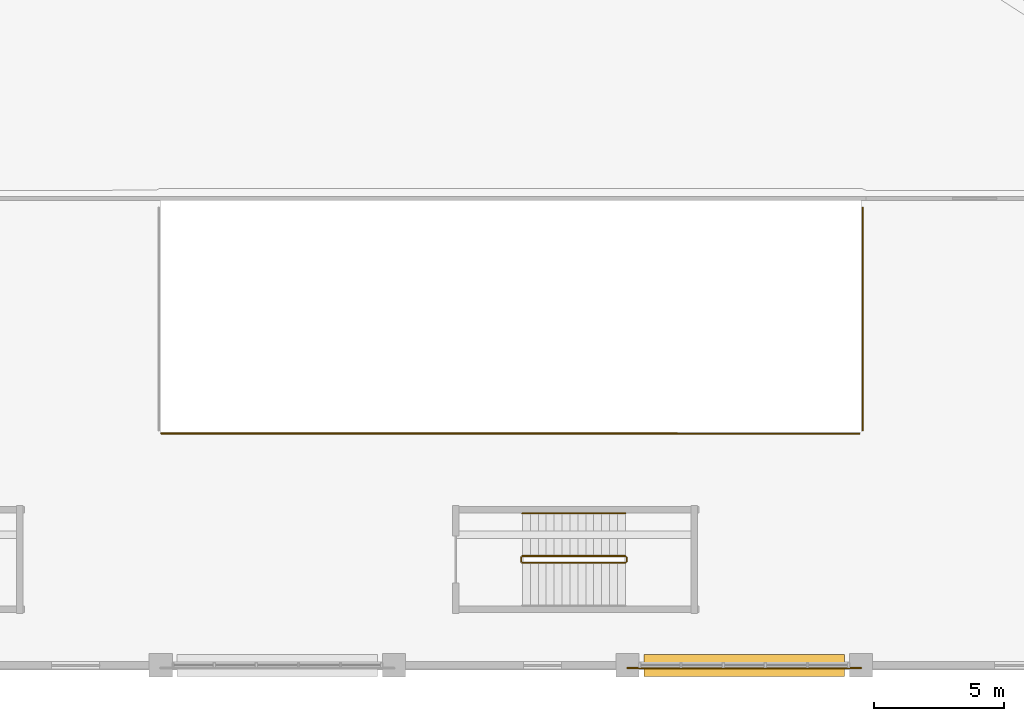
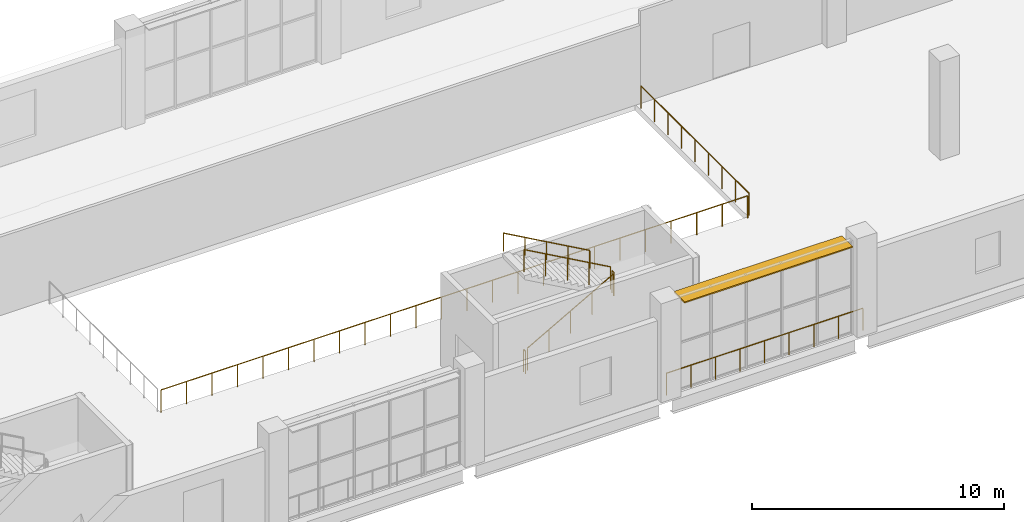
# One storey, part 127 of 183: 8 railings, 1 shading device.
"""IFC4 building model written with IfcOpenShell, lengths in metres."""

from ifc_helpers import new_model, si_unit, direction, frame, origin, origin_2d, place, context, subcontext, project, spatial, rectangle, circle, extrude, material, layer, layer_set, type_object, element, save


model = new_model("IFC4")

# Units and contexts
model_context = context("Model", 3, precision=1e-05, world=origin(), true_north=direction((0.0, 1.0)))
body_context = subcontext(model_context, "Body", "Model", "MODEL_VIEW")
ifc_project = project(units=[si_unit("LENGTHUNIT", "METRE"), si_unit("AREAUNIT", "SQUARE_METRE"), si_unit("VOLUMEUNIT", "CUBIC_METRE"), si_unit("PLANEANGLEUNIT", "RADIAN"), si_unit("MASSUNIT", "GRAM", prefix="KILO")], contexts=[model_context])

# Site, building, storey
site_placement = place(None, origin())
site = spatial("IfcSite", under=ifc_project, at=site_placement, CompositionType="ELEMENT")
building_placement = place(site_placement, origin())
building = spatial("IfcBuilding", under=site, at=building_placement, Name="Zevraka Park Crest Stadium", CompositionType="ELEMENT")
storey_placement = place(building_placement, frame((0.0, 0.0, 5.39990234375)))
storey = spatial("IfcBuildingStorey", under=building, at=storey_placement, Name="L01", CompositionType="ELEMENT", Elevation=5.39990234375)

# Railings
ifc_material_1 = material(Name="Galvanised and bronze-finished steel balustrade", Category="steel")
railing_type_1 = type_object("IfcRailingType", Name="GR01", PredefinedType="GUARDRAIL", material=ifc_material_1)
railing_1_placement = place(storey_placement, frame((54.009033203125, -0.10498046875, 0.0)))
element("IfcRailing", 1, at=railing_1_placement, inside=storey, type_object=railing_type_1, Name="Deck Edge Protection Guardrail GR01 L01-38", PredefinedType="GUARDRAIL", context=body_context, shape_type="SweptSolid", body=[
    extrude(circle(Radius=0.02392578125, at=origin_2d()), frame((0.0, 0.0, 1.076171875), z_axis=(-1.0, 0.0, 0.0), x_axis=(0.0, -1.0, 0.0)), (0.0, 0.0, 1.0), 9.01806640625),
    extrude(circle(Radius=0.02099609375, at=origin_2d()), origin(), (0.0, 0.0, 1.0), 1.052001953125),
    extrude(circle(Radius=0.02099609375, at=origin_2d()), frame((-1.127197265625, 0.0, 0.0)), (0.0, 0.0, 1.0), 1.052001953125),
    extrude(circle(Radius=0.02099609375, at=origin_2d()), frame((-2.25439453125, 0.0, 0.0)), (0.0, 0.0, 1.0), 1.052001953125),
    extrude(circle(Radius=0.02099609375, at=origin_2d()), frame((-3.3818359375, 0.0, 0.0)), (0.0, 0.0, 1.0), 1.052001953125),
    extrude(circle(Radius=0.02099609375, at=origin_2d()), frame((-4.509033203125, 0.0, 0.0)), (0.0, 0.0, 1.0), 1.052001953125),
    extrude(circle(Radius=0.02099609375, at=origin_2d()), frame((-5.63623046875, 0.0, 0.0)), (0.0, 0.0, 1.0), 1.052001953125),
    extrude(circle(Radius=0.02099609375, at=origin_2d()), frame((-6.763671875, 0.0, 0.0)), (0.0, 0.0, 1.0), 1.052001953125),
    extrude(circle(Radius=0.02099609375, at=origin_2d()), frame((-7.890869140625, 0.0, 0.0)), (0.0, 0.0, 1.0), 1.052001953125),
    extrude(circle(Radius=0.02099609375, at=origin_2d()), frame((-9.01806640625, 0.0, 0.0)), (0.0, 0.0, 1.0), 1.052001953125),
])
railing_2_placement = place(storey_placement, frame((54.070068359375, 9.06005859375, 0.0)))
element("IfcRailing", 2, at=railing_2_placement, inside=storey, type_object=railing_type_1, Name="Deck Edge Protection Guardrail GR01 L01-111", PredefinedType="GUARDRAIL", context=body_context, shape_type="SweptSolid", body=[
    extrude(circle(Radius=0.02392578125, at=origin_2d()), frame((0.0, 0.0, 1.076171875), z_axis=(0.0, 1.0, 0.0), x_axis=(-1.0, 0.0, 0.0)), (0.0, 0.0, 1.0), 8.5849609375),
    extrude(circle(Radius=0.02099609375, at=origin_2d()), origin(), (0.0, 0.0, 1.0), 1.052001953125),
    extrude(circle(Radius=0.02099609375, at=origin_2d()), frame((0.0, 1.0732421875, 0.0)), (0.0, 0.0, 1.0), 1.052001953125),
    extrude(circle(Radius=0.02099609375, at=origin_2d()), frame((0.0, 2.146240234375, 0.0)), (0.0, 0.0, 1.0), 1.052001953125),
    extrude(circle(Radius=0.02099609375, at=origin_2d()), frame((0.0, 3.21923828125, 0.0)), (0.0, 0.0, 1.0), 1.052001953125),
    extrude(circle(Radius=0.02099609375, at=origin_2d()), frame((0.0, 4.29248046875, 0.0)), (0.0, 0.0, 1.0), 1.052001953125),
    extrude(circle(Radius=0.02099609375, at=origin_2d()), frame((0.0, 5.36572265625, 0.0)), (0.0, 0.0, 1.0), 1.052001953125),
    extrude(circle(Radius=0.02099609375, at=origin_2d()), frame((0.0, 6.438720703125, 0.0)), (0.0, 0.0, 1.0), 1.052001953125),
    extrude(circle(Radius=0.02099609375, at=origin_2d()), frame((0.0, 7.51171875, 0.0)), (0.0, 0.0, 1.0), 1.052001953125),
    extrude(circle(Radius=0.02099609375, at=origin_2d()), frame((0.0, 8.5849609375, 0.0)), (0.0, 0.0, 1.0), 1.052001953125),
])
railing_3_placement = place(storey_placement, frame((27.01904296875, 8.93701171875, 0.0)))
element("IfcRailing", 3, at=railing_3_placement, inside=storey, type_object=railing_type_1, Name="Deck Edge Protection Guardrail GR01 L01-113", PredefinedType="GUARDRAIL", context=body_context, shape_type="SweptSolid", body=[
    extrude(circle(Radius=0.02392578125, at=origin_2d()), frame((0.0, 0.0, 1.076171875), z_axis=(0.999999965417, -0.000262995602, 0.0), x_axis=(0.000262995602, 0.999999965417, 0.0)), (0.0, 0.0, 1.0), 26.9208984375),
    extrude(circle(Radius=0.02099609375, at=origin_2d()), origin(), (0.0, 0.0, 1.0), 1.052001953125),
    extrude(circle(Radius=0.02099609375, at=origin_2d()), frame((1.17041015625, -0.000244140625, 0.0)), (0.0, 0.0, 1.0), 1.052001953125),
    extrude(circle(Radius=0.02099609375, at=origin_2d()), frame((2.341064453125, -0.000732421875, 0.0)), (0.0, 0.0, 1.0), 1.052001953125),
    extrude(circle(Radius=0.02099609375, at=origin_2d()), frame((3.511474609375, -0.0009765625, 0.0)), (0.0, 0.0, 1.0), 1.052001953125),
    extrude(circle(Radius=0.02099609375, at=origin_2d()), frame((4.681884765625, -0.001220703125, 0.0)), (0.0, 0.0, 1.0), 1.052001953125),
    extrude(circle(Radius=0.02099609375, at=origin_2d()), frame((5.852294921875, -0.00146484375, 0.0)), (0.0, 0.0, 1.0), 1.052001953125),
    extrude(circle(Radius=0.02099609375, at=origin_2d()), frame((7.02294921875, -0.001953125, 0.0)), (0.0, 0.0, 1.0), 1.052001953125),
    extrude(circle(Radius=0.02099609375, at=origin_2d()), frame((8.193359375, -0.002197265625, 0.0)), (0.0, 0.0, 1.0), 1.052001953125),
    extrude(circle(Radius=0.02099609375, at=origin_2d()), frame((9.36376953125, -0.00244140625, 0.0)), (0.0, 0.0, 1.0), 1.052001953125),
    extrude(circle(Radius=0.02099609375, at=origin_2d()), frame((10.5341796875, -0.002685546875, 0.0)), (0.0, 0.0, 1.0), 1.052001953125),
    extrude(circle(Radius=0.02099609375, at=origin_2d()), frame((11.704833984375, -0.003173828125, 0.0)), (0.0, 0.0, 1.0), 1.052001953125),
    extrude(circle(Radius=0.02099609375, at=origin_2d()), frame((12.875244140625, -0.00341796875, 0.0)), (0.0, 0.0, 1.0), 1.052001953125),
    extrude(circle(Radius=0.02099609375, at=origin_2d()), frame((14.045654296875, -0.003662109375, 0.0)), (0.0, 0.0, 1.0), 1.052001953125),
    extrude(circle(Radius=0.02099609375, at=origin_2d()), frame((15.216064453125, -0.00390625, 0.0)), (0.0, 0.0, 1.0), 1.052001953125),
    extrude(circle(Radius=0.02099609375, at=origin_2d()), frame((16.38671875, -0.00439453125, 0.0)), (0.0, 0.0, 1.0), 1.052001953125),
    extrude(circle(Radius=0.02099609375, at=origin_2d()), frame((17.55712890625, -0.004638671875, 0.0)), (0.0, 0.0, 1.0), 1.052001953125),
    extrude(circle(Radius=0.02099609375, at=origin_2d()), frame((18.7275390625, -0.0048828125, 0.0)), (0.0, 0.0, 1.0), 1.052001953125),
    extrude(circle(Radius=0.02099609375, at=origin_2d()), frame((19.89794921875, -0.005126953125, 0.0)), (0.0, 0.0, 1.0), 1.052001953125),
    extrude(circle(Radius=0.02099609375, at=origin_2d()), frame((21.068603515625, -0.005615234375, 0.0)), (0.0, 0.0, 1.0), 1.052001953125),
    extrude(circle(Radius=0.02099609375, at=origin_2d()), frame((22.239013671875, -0.005859375, 0.0)), (0.0, 0.0, 1.0), 1.052001953125),
    extrude(circle(Radius=0.02099609375, at=origin_2d()), frame((23.409423828125, -0.006103515625, 0.0)), (0.0, 0.0, 1.0), 1.052001953125),
    extrude(circle(Radius=0.02099609375, at=origin_2d()), frame((24.579833984375, -0.00634765625, 0.0)), (0.0, 0.0, 1.0), 1.052001953125),
    extrude(circle(Radius=0.02099609375, at=origin_2d()), frame((25.75048828125, -0.0068359375, 0.0)), (0.0, 0.0, 1.0), 1.052001953125),
    extrude(circle(Radius=0.02099609375, at=origin_2d()), frame((26.9208984375, -0.007080078125, 0.0)), (0.0, 0.0, 1.0), 1.052001953125),
])
ifc_material_2 = material(Name="Powder-coated tubular steel stairwell guard", Category="steel")
railing_type_2 = type_object("IfcRailingType", Name="GR03", PredefinedType="GUARDRAIL", material=ifc_material_2)
railing_4_placement = place(storey_placement, frame((40.949951171875, 3.949951171875, 0.171630859375)))
element("IfcRailing", 4, at=railing_4_placement, inside=storey, type_object=railing_type_2, Name="L01 ST52 stair guard 1", PredefinedType="GUARDRAIL", context=body_context, shape_type="SweptSolid", body=[
    extrude(circle(Radius=0.02392578125, at=origin_2d()), frame((0.0, 0.0, 1.076171875), z_axis=(0.871748933509, 0.0, 0.489952851738), x_axis=(0.0, 1.0, 0.0)), (0.0, 0.0, 1.0), 4.54833984375),
    extrude(circle(Radius=0.02099609375, at=origin_2d()), origin(), (0.0, 0.0, 1.0), 1.052001953125),
    extrude(circle(Radius=0.02099609375, at=origin_2d()), frame((0.9912109375, 0.0, 0.55712890625)), (0.0, 0.0, 1.0), 1.052001953125),
    extrude(circle(Radius=0.02099609375, at=origin_2d()), frame((1.982421875, 0.0, 1.1142578125)), (0.0, 0.0, 1.0), 1.052001953125),
    extrude(circle(Radius=0.02099609375, at=origin_2d()), frame((2.973876953125, 0.0, 1.67138671875)), (0.0, 0.0, 1.0), 1.052001953125),
    extrude(circle(Radius=0.02099609375, at=origin_2d()), frame((3.965087890625, 0.0, 2.228515625)), (0.0, 0.0, 1.0), 1.052001953125),
])
railing_5_placement = place(storey_placement, frame((44.965087890625, 4.0, 2.400146484375)))
element("IfcRailing", 5, at=railing_5_placement, inside=storey, type_object=railing_type_2, Name="L01 ST52 stair guard 2", PredefinedType="GUARDRAIL", context=body_context, shape_type="SweptSolid", body=[
    extrude(circle(Radius=0.02392578125, at=origin_2d()), frame((0.0, 0.0, 1.076171875), z_axis=(0.0, 1.0, 0.0), x_axis=(-1.0, 0.0, 0.0)), (0.0, 0.0, 1.0), 0.159912109375),
    extrude(circle(Radius=0.02099609375, at=origin_2d()), origin(), (0.0, 0.0, 1.0), 1.052001953125),
    extrude(circle(Radius=0.02099609375, at=origin_2d()), frame((0.0, 0.159912109375, 0.0)), (0.0, 0.0, 1.0), 1.052001953125),
])
railing_6_placement = place(storey_placement, frame((44.9150390625, 4.2099609375, 2.571533203125)))
element("IfcRailing", 6, at=railing_6_placement, inside=storey, type_object=railing_type_2, Name="L01 ST52 stair guard 3", PredefinedType="GUARDRAIL", context=body_context, shape_type="SweptSolid", body=[
    extrude(circle(Radius=0.02392578125, at=origin_2d()), frame((0.0, 0.0, 1.076171875), z_axis=(-0.871748933509, 0.0, 0.489952851738), x_axis=(0.0, -1.0, 0.0)), (0.0, 0.0, 1.0), 4.54833984375),
    extrude(circle(Radius=0.02099609375, at=origin_2d()), origin(), (0.0, 0.0, 1.0), 1.052001953125),
    extrude(circle(Radius=0.02099609375, at=origin_2d()), frame((-0.9912109375, 0.0, 0.55712890625)), (0.0, 0.0, 1.0), 1.052001953125),
    extrude(circle(Radius=0.02099609375, at=origin_2d()), frame((-1.982421875, 0.0, 1.1142578125)), (0.0, 0.0, 1.0), 1.052001953125),
    extrude(circle(Radius=0.02099609375, at=origin_2d()), frame((-2.973876953125, 0.0, 1.67138671875)), (0.0, 0.0, 1.0), 1.052001953125),
    extrude(circle(Radius=0.02099609375, at=origin_2d()), frame((-3.965087890625, 0.0, 2.228515625)), (0.0, 0.0, 1.0), 1.052001953125),
])
railing_7_placement = place(storey_placement, frame((40.89990234375, 4.0, 0.0)))
element("IfcRailing", 7, at=railing_7_placement, inside=storey, type_object=railing_type_2, Name="L01 ST52 stair guard 4", PredefinedType="GUARDRAIL", context=body_context, shape_type="SweptSolid", body=[
    extrude(circle(Radius=0.02392578125, at=origin_2d()), frame((0.0, 0.0, 1.076171875), z_axis=(0.0, 1.0, 0.0), x_axis=(-1.0, 0.0, 0.0)), (0.0, 0.0, 1.0), 0.159912109375),
    extrude(circle(Radius=0.02099609375, at=origin_2d()), origin(), (0.0, 0.0, 1.0), 1.052001953125),
    extrude(circle(Radius=0.02099609375, at=origin_2d()), frame((0.0, 0.159912109375, 0.0)), (0.0, 0.0, 1.0), 1.052001953125),
])
ifc_material_3 = material(Name="Brushed stainless steel continuous handrail", Category="steel")
railing_type_3 = type_object("IfcRailingType", Name="HR01", PredefinedType="HANDRAIL", material=ifc_material_3)
railing_8_placement = place(storey_placement, frame((44.9150390625, 5.860107421875, 2.571533203125)))
element("IfcRailing", 8, at=railing_8_placement, inside=storey, type_object=railing_type_3, Name="L01 ST52 stair handrail 2", PredefinedType="HANDRAIL", context=body_context, shape_type="SweptSolid", body=[
    extrude(circle(Radius=0.02392578125, at=origin_2d()), frame((0.0, 0.0, 0.8759765625), z_axis=(-0.871748933509, 0.0, 0.489952851738), x_axis=(0.0, -1.0, 0.0)), (0.0, 0.0, 1.0), 4.54833984375),
    extrude(circle(Radius=0.02099609375, at=origin_2d()), origin(), (0.0, 0.0, 1.0), 0.851806640625),
    extrude(circle(Radius=0.02099609375, at=origin_2d()), frame((-0.9912109375, 0.0, 0.55712890625)), (0.0, 0.0, 1.0), 0.851806640625),
    extrude(circle(Radius=0.02099609375, at=origin_2d()), frame((-1.982421875, 0.0, 1.1142578125)), (0.0, 0.0, 1.0), 0.851806640625),
    extrude(circle(Radius=0.02099609375, at=origin_2d()), frame((-2.973876953125, 0.0, 1.67138671875)), (0.0, 0.0, 1.0), 0.851806640625),
    extrude(circle(Radius=0.02099609375, at=origin_2d()), frame((-3.965087890625, 0.0, 2.228515625)), (0.0, 0.0, 1.0), 0.851806640625),
])

# Shading device
ifc_material_4 = material(Name="Architectural golden-bronze anodised bronze", Category="aluminium")
ifc_layer = layer(ifc_material_4, 0.06005859375)
ifc_layer_set = layer_set([ifc_layer], Name="Architectural golden-bronze anodised bronze")
shading_device_type = type_object("IfcShadingDeviceType", Name="SHD01", PredefinedType="USERDEFINED", material=ifc_layer_set)
shading_device_placement = place(storey_placement, frame((49.5, 0.0, 4.440185546875), z_axis=(0.0, 0.0, 1.0), x_axis=(-1.0, 0.0, 0.0)))
element("IfcShadingDevice", 9, at=shading_device_placement, inside=storey, type_object=shading_device_type, Name="Wing Bronze Solar Screen SHD01 L01-SW-S1-4", ObjectType="SOLAR SCREEN", PredefinedType="USERDEFINED", context=body_context, shape_type="SweptSolid", body=[
    extrude(rectangle(XDim=7.719970703125, YDim=0.85009765625, at=origin_2d()), origin(), (0.0, 0.0, 1.0), 0.06005859375),
])

save(model, "model.ifc")
